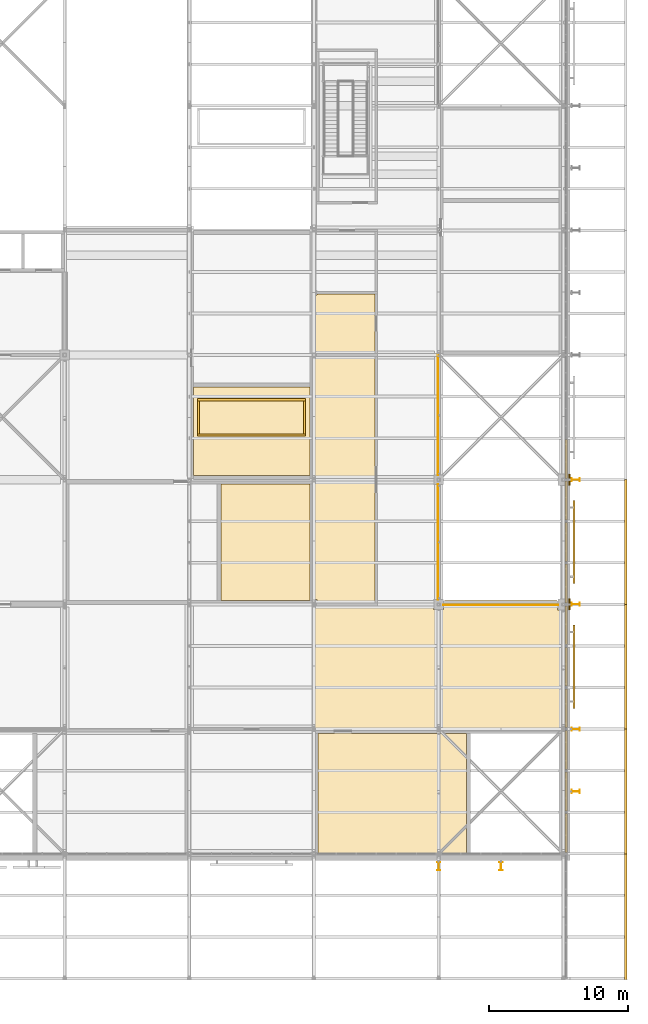
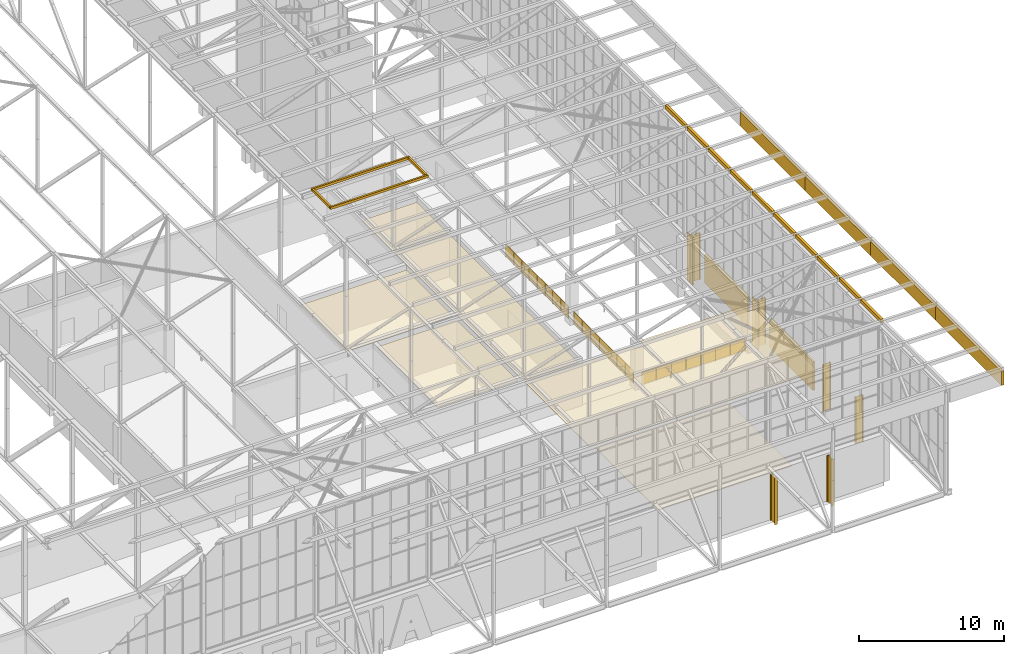
# One storey, part 637 of 646: 26 coverings, 8 shading devices, 3 railings.
"""IFC4 building model written with IfcOpenShell, lengths in metres."""

from ifc_helpers import new_model, si_unit, direction, frame, origin, origin_2d, place, context, subcontext, project, spatial, polyline, rectangle, circle, i_section, outline, extrude, material, layer, layer_set, material_profile, profile_set, type_object, element, save


model = new_model("IFC4")

# Units and contexts
model_context = context("Model", 3, precision=1e-05, world=origin(), true_north=direction((0.0, 1.0)))
body_context = subcontext(model_context, "Body", "Model", "MODEL_VIEW")
ifc_project = project(units=[si_unit("LENGTHUNIT", "METRE"), si_unit("AREAUNIT", "SQUARE_METRE"), si_unit("VOLUMEUNIT", "CUBIC_METRE"), si_unit("PLANEANGLEUNIT", "RADIAN"), si_unit("MASSUNIT", "GRAM", prefix="KILO")], contexts=[model_context])

# Site, building, storey
site_placement = place(None, origin())
site = spatial("IfcSite", under=ifc_project, at=site_placement, CompositionType="ELEMENT")
building_placement = place(site_placement, origin())
building = spatial("IfcBuilding", under=site, at=building_placement, Name="Silverbay Arena", CompositionType="ELEMENT")
storey_placement = place(building_placement, frame((0.0, 0.0, 33.5)))
storey = spatial("IfcBuildingStorey", under=building, at=storey_placement, Name="L05", CompositionType="ELEMENT", Elevation=33.5)

# Coverings
ifc_material_1 = material(Name="Aluminium composite cladding", Category="aluminium")
ifc_layer_1 = layer(ifc_material_1, 0.10009765625)
ifc_layer_set_1 = layer_set([ifc_layer_1], Name="Aluminium composite cladding")
covering_type_1 = type_object("IfcCoveringType", Name="Column cladding 100", PredefinedType="CLADDING", material=ifc_layer_set_1)
covering_1_placement = place(storey_placement, origin())
element("IfcCovering", 1, at=covering_1_placement, inside=storey, type_object=covering_type_1, Name="East column cladding L05 6", PredefinedType="CLADDING", context=body_context, shape_type="SweptSolid", body=[
    extrude(outline(polyline([(207.39990234375, 35.60009765625), (207.5, 35.60009765625), (207.5, 36.39990234375), (207.39990234375, 36.39990234375), (207.39990234375, 35.60009765625)])), origin(), (0.0, 0.0, 1.0), 4.0),
])
covering_2_placement = place(storey_placement, origin())
element("IfcCovering", 2, at=covering_2_placement, inside=storey, type_object=covering_type_1, Name="East column cladding L05 8", PredefinedType="CLADDING", context=body_context, shape_type="SweptSolid", body=[
    extrude(outline(polyline([(207.39990234375, 44.60009765625), (207.5, 44.60009765625), (207.5, 45.39990234375), (207.39990234375, 45.39990234375), (207.39990234375, 44.60009765625)])), origin(), (0.0, 0.0, 1.0), 4.0),
])
ifc_material_2 = material(Name="Fire-resisting board ceiling")
ifc_layer_2 = layer(ifc_material_2, 0.050048828125)
ifc_layer_set_2 = layer_set([ifc_layer_2], Name="Fire-resisting board ceiling")
covering_type_2 = type_object("IfcCoveringType", Name="Fire-resisting ceiling EI 120", PredefinedType="CEILING", material=ifc_layer_set_2)
covering_3_placement = place(storey_placement, frame((0.0, 0.0, 3.5)))
element("IfcCovering", 3, at=covering_3_placement, inside=storey, type_object=covering_type_2, Name="Fire-resisting ceiling 14", PredefinedType="CEILING", context=body_context, shape_type="SweptSolid", body=[
    extrude(outline(polyline([(207.02001953125, 27.06005859375), (207.199951171875, 27.06005859375), (207.199951171875, 35.5400390625), (207.02001953125, 35.5400390625), (207.02001953125, 35.590087890625), (206.590087890625, 35.590087890625), (206.590087890625, 36.02001953125), (206.5400390625, 36.02001953125), (206.5400390625, 36.27001953125), (198.409912109375, 36.27001953125), (198.409912109375, 36.02001953125), (198.360107421875, 36.02001953125), (198.360107421875, 35.639892578125), (197.639892578125, 35.639892578125), (197.639892578125, 35.97998046875), (193.60009765625, 35.97998046875), (193.60009765625, 35.89990234375), (189.199951171875, 35.89990234375), (189.199951171875, 36.0), (189.080078125, 36.0), (189.080078125, 35.840087890625), (188.97998046875, 35.840087890625), (188.97998046875, 35.77001953125), (189.02001953125, 35.77001953125), (189.02001953125, 27.074951171875), (189.0, 27.074951171875), (189.0, 27.030029296875), (207.02001953125, 27.030029296875), (207.02001953125, 27.06005859375)])), origin(), (0.0, 0.0, 1.0), 0.050048828125),
])
covering_4_placement = place(storey_placement, frame((0.0, 0.0, 3.5)))
element("IfcCovering", 4, at=covering_4_placement, inside=storey, type_object=covering_type_2, Name="Fire-resisting ceiling 29", PredefinedType="CEILING", context=body_context, shape_type="SweptSolid", body=[
    extrude(outline(polyline([(189.22998046875, 53.840087890625), (189.0, 53.840087890625), (189.0, 36.35205078125), (189.22998046875, 36.35205078125), (189.22998046875, 36.10009765625), (193.39990234375, 36.10009765625), (193.39990234375, 53.89990234375), (189.22998046875, 53.89990234375), (189.22998046875, 53.840087890625)])), origin(), (0.0, 0.0, 1.0), 0.050048828125),
])
covering_5_placement = place(storey_placement, frame((0.0, 0.0, 3.5)))
element("IfcCovering", 5, at=covering_5_placement, inside=storey, type_object=covering_type_2, Name="Fire-resisting ceiling 30", PredefinedType="CEILING", context=body_context, shape_type="SweptSolid", body=[
    extrude(outline(polyline([(189.0, 58.340087890625), (189.0, 54.159912109375), (189.22998046875, 54.159912109375), (189.22998046875, 54.10009765625), (193.39990234375, 54.10009765625), (193.39990234375, 58.39990234375), (189.22998046875, 58.39990234375), (189.22998046875, 58.340087890625), (189.0, 58.340087890625)])), origin(), (0.0, 0.0, 1.0), 0.050048828125),
])
covering_6_placement = place(storey_placement, frame((0.0, 0.0, 3.5)))
element("IfcCovering", 6, at=covering_6_placement, inside=storey, type_object=covering_type_2, Name="Fire-resisting ceiling 56", PredefinedType="CEILING", context=body_context, shape_type="SweptSolid", body=[
    extrude(outline(polyline([(189.0, 26.699951171875), (189.300048828125, 26.699951171875), (189.300048828125, 18.0), (200.0, 18.0), (200.0, 26.699951171875), (200.300048828125, 26.699951171875), (200.300048828125, 18.0), (206.699951171875, 18.0), (206.699951171875, 26.699951171875), (207.0, 26.699951171875), (189.0, 26.699951171875)])), origin(), (0.0, 0.0, 1.0), 0.050048828125),
])
covering_7_placement = place(storey_placement, frame((0.0, 0.0, 3.5)))
element("IfcCovering", 7, at=covering_7_placement, inside=storey, type_object=covering_type_2, Name="Fire-resisting ceiling 74", PredefinedType="CEILING", context=body_context, shape_type="SweptSolid", body=[
    extrude(outline(polyline([(188.699951171875, 36.300048828125), (188.699951171875, 44.699951171875), (182.300048828125, 44.699951171875), (182.300048828125, 36.300048828125), (188.699951171875, 36.300048828125)])), origin(), (0.0, 0.0, 1.0), 0.050048828125),
])
covering_8_placement = place(storey_placement, frame((0.0, 0.0, 3.5)))
element("IfcCovering", 8, at=covering_8_placement, inside=storey, type_object=covering_type_2, Name="Fire-resisting ceiling 76", PredefinedType="CEILING", context=body_context, shape_type="SweptSolid", body=[
    extrude(outline(polyline([(188.699951171875, 45.300048828125), (188.699951171875, 51.699951171875), (180.300048828125, 51.699951171875), (180.300048828125, 45.300048828125), (188.699951171875, 45.300048828125)])), origin(), (0.0, 0.0, 1.0), 0.050048828125),
])
ifc_material_3 = material(Name="Insulated metal cladding panel")
ifc_layer_3 = layer(ifc_material_3, 0.199951171875)
ifc_layer_set_3 = layer_set([ifc_layer_3], Name="Insulated metal cladding panel")
covering_type_3 = type_object("IfcCoveringType", Name="Gable head closer 200", PredefinedType="CLADDING", material=ifc_layer_set_3)
covering_9_placement = place(storey_placement, frame((0.0, 0.0, 13.0)))
element("IfcCovering", 9, at=covering_9_placement, inside=storey, type_object=covering_type_3, Name="ROOF GABLE HEAD CLOSER east 04", PredefinedType="CLADDING", context=body_context, shape_type="SweptSolid", body=[
    extrude(outline(polyline([(207.110107421875, 18.10009765625), (207.31005859375, 18.10009765625), (207.31005859375, 20.89990234375), (207.110107421875, 20.89990234375), (207.110107421875, 18.10009765625)])), origin(), (0.0, 0.0, 1.0), 0.300048828125),
])
covering_10_placement = place(storey_placement, frame((0.0, 0.0, 13.0)))
element("IfcCovering", 10, at=covering_10_placement, inside=storey, type_object=covering_type_3, Name="ROOF GABLE HEAD CLOSER east 05", PredefinedType="CLADDING", context=body_context, shape_type="SweptSolid", body=[
    extrude(outline(polyline([(207.110107421875, 21.10009765625), (207.31005859375, 21.10009765625), (207.31005859375, 23.89990234375), (207.110107421875, 23.89990234375), (207.110107421875, 21.10009765625)])), origin(), (0.0, 0.0, 1.0), 0.300048828125),
])
covering_11_placement = place(storey_placement, frame((0.0, 0.0, 13.0)))
element("IfcCovering", 11, at=covering_11_placement, inside=storey, type_object=covering_type_3, Name="ROOF GABLE HEAD CLOSER east 06", PredefinedType="CLADDING", context=body_context, shape_type="SweptSolid", body=[
    extrude(outline(polyline([(207.110107421875, 24.10009765625), (207.31005859375, 24.10009765625), (207.31005859375, 26.89990234375), (207.110107421875, 26.89990234375), (207.110107421875, 24.10009765625)])), origin(), (0.0, 0.0, 1.0), 0.300048828125),
])
covering_12_placement = place(storey_placement, frame((0.0, 0.0, 13.0)))
element("IfcCovering", 12, at=covering_12_placement, inside=storey, type_object=covering_type_3, Name="ROOF GABLE HEAD CLOSER east 07", PredefinedType="CLADDING", context=body_context, shape_type="SweptSolid", body=[
    extrude(outline(polyline([(207.110107421875, 27.10009765625), (207.31005859375, 27.10009765625), (207.31005859375, 29.89990234375), (207.110107421875, 29.89990234375), (207.110107421875, 27.10009765625)])), origin(), (0.0, 0.0, 1.0), 0.300048828125),
])
covering_13_placement = place(storey_placement, frame((0.0, 0.0, 13.0)))
element("IfcCovering", 13, at=covering_13_placement, inside=storey, type_object=covering_type_3, Name="ROOF GABLE HEAD CLOSER east 08", PredefinedType="CLADDING", context=body_context, shape_type="SweptSolid", body=[
    extrude(outline(polyline([(207.110107421875, 30.10009765625), (207.31005859375, 30.10009765625), (207.31005859375, 32.89990234375), (207.110107421875, 32.89990234375), (207.110107421875, 30.10009765625)])), origin(), (0.0, 0.0, 1.0), 0.300048828125),
])
covering_14_placement = place(storey_placement, frame((0.0, 0.0, 13.0)))
element("IfcCovering", 14, at=covering_14_placement, inside=storey, type_object=covering_type_3, Name="ROOF GABLE HEAD CLOSER east 09", PredefinedType="CLADDING", context=body_context, shape_type="SweptSolid", body=[
    extrude(outline(polyline([(207.110107421875, 33.10009765625), (207.31005859375, 33.10009765625), (207.31005859375, 35.89990234375), (207.110107421875, 35.89990234375), (207.110107421875, 33.10009765625)])), origin(), (0.0, 0.0, 1.0), 0.300048828125),
])
covering_15_placement = place(storey_placement, frame((0.0, 0.0, 13.0)))
element("IfcCovering", 15, at=covering_15_placement, inside=storey, type_object=covering_type_3, Name="ROOF GABLE HEAD CLOSER east 10", PredefinedType="CLADDING", context=body_context, shape_type="SweptSolid", body=[
    extrude(outline(polyline([(207.110107421875, 36.10009765625), (207.31005859375, 36.10009765625), (207.31005859375, 38.89990234375), (207.110107421875, 38.89990234375), (207.110107421875, 36.10009765625)])), origin(), (0.0, 0.0, 1.0), 0.300048828125),
])
covering_16_placement = place(storey_placement, frame((0.0, 0.0, 13.0)))
element("IfcCovering", 16, at=covering_16_placement, inside=storey, type_object=covering_type_3, Name="ROOF GABLE HEAD CLOSER east 11", PredefinedType="CLADDING", context=body_context, shape_type="SweptSolid", body=[
    extrude(outline(polyline([(207.110107421875, 39.10009765625), (207.31005859375, 39.10009765625), (207.31005859375, 41.89990234375), (207.110107421875, 41.89990234375), (207.110107421875, 39.10009765625)])), origin(), (0.0, 0.0, 1.0), 0.300048828125),
])
covering_17_placement = place(storey_placement, frame((0.0, 0.0, 13.0)))
element("IfcCovering", 17, at=covering_17_placement, inside=storey, type_object=covering_type_3, Name="ROOF GABLE HEAD CLOSER east 12", PredefinedType="CLADDING", context=body_context, shape_type="SweptSolid", body=[
    extrude(outline(polyline([(207.110107421875, 42.10009765625), (207.31005859375, 42.10009765625), (207.31005859375, 44.89990234375), (207.110107421875, 44.89990234375), (207.110107421875, 42.10009765625)])), origin(), (0.0, 0.0, 1.0), 0.300048828125),
])
covering_18_placement = place(storey_placement, frame((0.0, 0.0, 13.0)))
element("IfcCovering", 18, at=covering_18_placement, inside=storey, type_object=covering_type_3, Name="ROOF GABLE HEAD CLOSER east 13", PredefinedType="CLADDING", context=body_context, shape_type="SweptSolid", body=[
    extrude(outline(polyline([(207.110107421875, 45.10009765625), (207.31005859375, 45.10009765625), (207.31005859375, 47.89990234375), (207.110107421875, 47.89990234375), (207.110107421875, 45.10009765625)])), origin(), (0.0, 0.0, 1.0), 0.300048828125),
])

# Shading devices
ifc_material_4 = material(Name="Aluminium", Category="aluminium")
shading_device_type_1 = type_object("IfcShadingDeviceType", Name="Louvre screen 6000 x 2400", PredefinedType="JALOUSIE", material=ifc_material_4)
for number, where, z_axis, x_axis, name in (
    (19, (207.77490234375, 31.5, 0.800048828125), (0.0, 0.0, 1.0), (0.0, 1.0, 0.0), "East plant louvre L05 bay 2"),
    (20, (207.77490234375, 40.5, 0.800048828125), (0.0, 0.0, 1.0), (0.0, 1.0, 0.0), "East plant louvre L05 bay 3"),
):
    element("IfcShadingDevice", number, at=place(storey_placement, frame(where, z_axis=z_axis, x_axis=x_axis)), inside=storey, type_object=shading_device_type_1, Name=name, PredefinedType="JALOUSIE", context=body_context, shape_type="SweptSolid", body=[
        extrude(rectangle(XDim=6.0, YDim=0.14990234375, at=origin_2d()), origin(), (0.0, 0.0, 1.0), 2.39990234375),
    ])

# Railings
ifc_material_5 = material(Name="Stainless steel", Category="steel")
railing_type = type_object("IfcRailingType", Name="Opening guard 1100", PredefinedType="GUARDRAIL", material=ifc_material_5)
railing_1_placement = place(storey_placement, frame((197.9599609375, 36.35009765625, 0.0)))
element("IfcRailing", 21, at=railing_1_placement, inside=storey, type_object=railing_type, Name="Opening guard L05 end gallery E-inner edge", PredefinedType="GUARDRAIL", context=body_context, shape_type="SweptSolid", body=[
    extrude(circle(Radius=0.02392578125, at=origin_2d()), frame((0.0, 0.0, 1.076171875), z_axis=(0.0, 1.0, 0.0), x_axis=(-1.0, 0.0, 0.0)), (0.0, 0.0, 1.0), 8.2998046875),
    extrude(outline(polyline([(-0.008056640625, 0.050048828125), (1.193603515625, 0.050048828125), (1.193603515625, 1.052978515625), (-0.008056640625, 1.052978515625), (-0.008056640625, 0.050048828125)])), frame((-0.0029296875, 0.0, 0.0), z_axis=(1.0, 0.0, 0.0), x_axis=(0.0, 1.0, 0.0)), (0.0, 0.0, 1.0), 0.006103515625),
    extrude(outline(polyline([(-0.008056640625, 0.050048828125), (1.193603515625, 0.050048828125), (1.193603515625, 1.052978515625), (-0.008056640625, 1.052978515625), (-0.008056640625, 0.050048828125)])), frame((-0.0029296875, 1.185791015625, 0.0), z_axis=(1.0, 0.0, 0.0), x_axis=(0.0, 1.0, 0.0)), (0.0, 0.0, 1.0), 0.006103515625),
    extrude(outline(polyline([(-0.008056640625, 0.050048828125), (1.193603515625, 0.050048828125), (1.193603515625, 1.052978515625), (-0.008056640625, 1.052978515625), (-0.008056640625, 0.050048828125)])), frame((-0.0029296875, 2.371337890625, 0.0), z_axis=(1.0, 0.0, 0.0), x_axis=(0.0, 1.0, 0.0)), (0.0, 0.0, 1.0), 0.006103515625),
    extrude(outline(polyline([(-0.008056640625, 0.050048828125), (1.193603515625, 0.050048828125), (1.193603515625, 1.052978515625), (-0.008056640625, 1.052978515625), (-0.008056640625, 0.050048828125)])), frame((-0.0029296875, 3.55712890625, 0.0), z_axis=(1.0, 0.0, 0.0), x_axis=(0.0, 1.0, 0.0)), (0.0, 0.0, 1.0), 0.006103515625),
    extrude(outline(polyline([(-0.008056640625, 0.050048828125), (1.193603515625, 0.050048828125), (1.193603515625, 1.052978515625), (-0.008056640625, 1.052978515625), (-0.008056640625, 0.050048828125)])), frame((-0.0029296875, 4.74267578125, 0.0), z_axis=(1.0, 0.0, 0.0), x_axis=(0.0, 1.0, 0.0)), (0.0, 0.0, 1.0), 0.006103515625),
    extrude(outline(polyline([(-0.008056640625, 0.050048828125), (1.193603515625, 0.050048828125), (1.193603515625, 1.052978515625), (-0.008056640625, 1.052978515625), (-0.008056640625, 0.050048828125)])), frame((-0.0029296875, 5.928466796875, 0.0), z_axis=(1.0, 0.0, 0.0), x_axis=(0.0, 1.0, 0.0)), (0.0, 0.0, 1.0), 0.006103515625),
    extrude(outline(polyline([(-0.008056640625, 0.050048828125), (1.193603515625, 0.050048828125), (1.193603515625, 1.052978515625), (-0.008056640625, 1.052978515625), (-0.008056640625, 0.050048828125)])), frame((-0.0029296875, 7.114013671875, 0.0), z_axis=(1.0, 0.0, 0.0), x_axis=(0.0, 1.0, 0.0)), (0.0, 0.0, 1.0), 0.006103515625),
    extrude(circle(Radius=0.02099609375, at=origin_2d()), origin(), (0.0, 0.0, 1.0), 1.052001953125),
    extrude(circle(Radius=0.02099609375, at=origin_2d()), frame((0.0, 1.185791015625, 0.0)), (0.0, 0.0, 1.0), 1.052001953125),
    extrude(circle(Radius=0.02099609375, at=origin_2d()), frame((0.0, 2.371337890625, 0.0)), (0.0, 0.0, 1.0), 1.052001953125),
    extrude(circle(Radius=0.02099609375, at=origin_2d()), frame((0.0, 3.55712890625, 0.0)), (0.0, 0.0, 1.0), 1.052001953125),
    extrude(circle(Radius=0.02099609375, at=origin_2d()), frame((0.0, 4.74267578125, 0.0)), (0.0, 0.0, 1.0), 1.052001953125),
    extrude(circle(Radius=0.02099609375, at=origin_2d()), frame((0.0, 5.928466796875, 0.0)), (0.0, 0.0, 1.0), 1.052001953125),
    extrude(circle(Radius=0.02099609375, at=origin_2d()), frame((0.0, 7.114013671875, 0.0)), (0.0, 0.0, 1.0), 1.052001953125),
    extrude(circle(Radius=0.02099609375, at=origin_2d()), frame((0.0, 8.2998046875, 0.0)), (0.0, 0.0, 1.0), 1.052001953125),
])
railing_2_placement = place(storey_placement, frame((197.9599609375, 45.35009765625, 0.0)))
element("IfcRailing", 22, at=railing_2_placement, inside=storey, type_object=railing_type, Name="Opening guard L05 end gallery E-inner edge", PredefinedType="GUARDRAIL", context=body_context, shape_type="SweptSolid", body=[
    extrude(circle(Radius=0.02392578125, at=origin_2d()), frame((0.0, 0.0, 1.076171875), z_axis=(0.0, 1.0, 0.0), x_axis=(-1.0, 0.0, 0.0)), (0.0, 0.0, 1.0), 8.64990234375),
    extrude(outline(polyline([(-0.008056640625, 0.050048828125), (1.08935546875, 0.050048828125), (1.08935546875, 1.052978515625), (-0.008056640625, 1.052978515625), (-0.008056640625, 0.050048828125)])), frame((-0.0029296875, 0.0, 0.0), z_axis=(1.0, 0.0, 0.0), x_axis=(0.0, 1.0, 0.0)), (0.0, 0.0, 1.0), 0.006103515625),
    extrude(outline(polyline([(-0.008056640625, 0.050048828125), (1.08935546875, 0.050048828125), (1.08935546875, 1.052978515625), (-0.008056640625, 1.052978515625), (-0.008056640625, 0.050048828125)])), frame((-0.0029296875, 1.081298828125, 0.0), z_axis=(1.0, 0.0, 0.0), x_axis=(0.0, 1.0, 0.0)), (0.0, 0.0, 1.0), 0.006103515625),
    extrude(outline(polyline([(-0.008056640625, 0.050048828125), (1.08935546875, 0.050048828125), (1.08935546875, 1.052978515625), (-0.008056640625, 1.052978515625), (-0.008056640625, 0.050048828125)])), frame((-0.0029296875, 2.16259765625, 0.0), z_axis=(1.0, 0.0, 0.0), x_axis=(0.0, 1.0, 0.0)), (0.0, 0.0, 1.0), 0.006103515625),
    extrude(outline(polyline([(-0.008056640625, 0.050048828125), (1.08935546875, 0.050048828125), (1.08935546875, 1.052978515625), (-0.008056640625, 1.052978515625), (-0.008056640625, 0.050048828125)])), frame((-0.0029296875, 3.24365234375, 0.0), z_axis=(1.0, 0.0, 0.0), x_axis=(0.0, 1.0, 0.0)), (0.0, 0.0, 1.0), 0.006103515625),
    extrude(outline(polyline([(-0.008056640625, 0.050048828125), (1.08935546875, 0.050048828125), (1.08935546875, 1.052978515625), (-0.008056640625, 1.052978515625), (-0.008056640625, 0.050048828125)])), frame((-0.0029296875, 4.324951171875, 0.0), z_axis=(1.0, 0.0, 0.0), x_axis=(0.0, 1.0, 0.0)), (0.0, 0.0, 1.0), 0.006103515625),
    extrude(outline(polyline([(-0.008056640625, 0.050048828125), (1.08935546875, 0.050048828125), (1.08935546875, 1.052978515625), (-0.008056640625, 1.052978515625), (-0.008056640625, 0.050048828125)])), frame((-0.0029296875, 5.40625, 0.0), z_axis=(1.0, 0.0, 0.0), x_axis=(0.0, 1.0, 0.0)), (0.0, 0.0, 1.0), 0.006103515625),
    extrude(outline(polyline([(-0.008056640625, 0.050048828125), (1.08935546875, 0.050048828125), (1.08935546875, 1.052978515625), (-0.008056640625, 1.052978515625), (-0.008056640625, 0.050048828125)])), frame((-0.0029296875, 6.4873046875, 0.0), z_axis=(1.0, 0.0, 0.0), x_axis=(0.0, 1.0, 0.0)), (0.0, 0.0, 1.0), 0.006103515625),
    extrude(outline(polyline([(-0.008056640625, 0.050048828125), (1.08935546875, 0.050048828125), (1.08935546875, 1.052978515625), (-0.008056640625, 1.052978515625), (-0.008056640625, 0.050048828125)])), frame((-0.0029296875, 7.568603515625, 0.0), z_axis=(1.0, 0.0, 0.0), x_axis=(0.0, 1.0, 0.0)), (0.0, 0.0, 1.0), 0.006103515625),
    extrude(circle(Radius=0.02099609375, at=origin_2d()), origin(), (0.0, 0.0, 1.0), 1.052001953125),
    extrude(circle(Radius=0.02099609375, at=origin_2d()), frame((0.0, 1.081298828125, 0.0)), (0.0, 0.0, 1.0), 1.052001953125),
    extrude(circle(Radius=0.02099609375, at=origin_2d()), frame((0.0, 2.16259765625, 0.0)), (0.0, 0.0, 1.0), 1.052001953125),
    extrude(circle(Radius=0.02099609375, at=origin_2d()), frame((0.0, 3.24365234375, 0.0)), (0.0, 0.0, 1.0), 1.052001953125),
    extrude(circle(Radius=0.02099609375, at=origin_2d()), frame((0.0, 4.324951171875, 0.0)), (0.0, 0.0, 1.0), 1.052001953125),
    extrude(circle(Radius=0.02099609375, at=origin_2d()), frame((0.0, 5.40625, 0.0)), (0.0, 0.0, 1.0), 1.052001953125),
    extrude(circle(Radius=0.02099609375, at=origin_2d()), frame((0.0, 6.4873046875, 0.0)), (0.0, 0.0, 1.0), 1.052001953125),
    extrude(circle(Radius=0.02099609375, at=origin_2d()), frame((0.0, 7.568603515625, 0.0)), (0.0, 0.0, 1.0), 1.052001953125),
    extrude(circle(Radius=0.02099609375, at=origin_2d()), frame((0.0, 8.64990234375, 0.0)), (0.0, 0.0, 1.0), 1.052001953125),
])
railing_3_placement = place(storey_placement, frame((198.35009765625, 35.9599609375, 0.0)))
element("IfcRailing", 23, at=railing_3_placement, inside=storey, type_object=railing_type, Name="Opening guard L05 end gallery E-south edge", PredefinedType="GUARDRAIL", context=body_context, shape_type="SweptSolid", body=[
    extrude(circle(Radius=0.02392578125, at=origin_2d()), frame((0.0, 0.0, 1.076171875), z_axis=(1.0, 0.0, 0.0), x_axis=(0.0, 1.0, 0.0)), (0.0, 0.0, 1.0), 8.25),
    extrude(outline(polyline([(-0.008056640625, 0.050048828125), (1.1865234375, 0.050048828125), (1.1865234375, 1.052978515625), (-0.008056640625, 1.052978515625), (-0.008056640625, 0.050048828125)])), frame((0.0, 0.0029296875, 0.0), z_axis=(0.0, -1.0, 0.0), x_axis=(1.0, 0.0, 0.0)), (0.0, 0.0, 1.0), 0.006103515625),
    extrude(outline(polyline([(-0.008056640625, 0.050048828125), (1.1865234375, 0.050048828125), (1.1865234375, 1.052978515625), (-0.008056640625, 1.052978515625), (-0.008056640625, 0.050048828125)])), frame((1.178466796875, 0.0029296875, 0.0), z_axis=(0.0, -1.0, 0.0), x_axis=(1.0, 0.0, 0.0)), (0.0, 0.0, 1.0), 0.006103515625),
    extrude(outline(polyline([(-0.008056640625, 0.050048828125), (1.1865234375, 0.050048828125), (1.1865234375, 1.052978515625), (-0.008056640625, 1.052978515625), (-0.008056640625, 0.050048828125)])), frame((2.357177734375, 0.0029296875, 0.0), z_axis=(0.0, -1.0, 0.0), x_axis=(1.0, 0.0, 0.0)), (0.0, 0.0, 1.0), 0.006103515625),
    extrude(outline(polyline([(-0.008056640625, 0.050048828125), (1.1865234375, 0.050048828125), (1.1865234375, 1.052978515625), (-0.008056640625, 1.052978515625), (-0.008056640625, 0.050048828125)])), frame((3.53564453125, 0.0029296875, 0.0), z_axis=(0.0, -1.0, 0.0), x_axis=(1.0, 0.0, 0.0)), (0.0, 0.0, 1.0), 0.006103515625),
    extrude(outline(polyline([(-0.008056640625, 0.050048828125), (1.1865234375, 0.050048828125), (1.1865234375, 1.052978515625), (-0.008056640625, 1.052978515625), (-0.008056640625, 0.050048828125)])), frame((4.71435546875, 0.0029296875, 0.0), z_axis=(0.0, -1.0, 0.0), x_axis=(1.0, 0.0, 0.0)), (0.0, 0.0, 1.0), 0.006103515625),
    extrude(outline(polyline([(-0.008056640625, 0.050048828125), (1.1865234375, 0.050048828125), (1.1865234375, 1.052978515625), (-0.008056640625, 1.052978515625), (-0.008056640625, 0.050048828125)])), frame((5.892822265625, 0.0029296875, 0.0), z_axis=(0.0, -1.0, 0.0), x_axis=(1.0, 0.0, 0.0)), (0.0, 0.0, 1.0), 0.006103515625),
    extrude(outline(polyline([(-0.008056640625, 0.050048828125), (1.1865234375, 0.050048828125), (1.1865234375, 1.052978515625), (-0.008056640625, 1.052978515625), (-0.008056640625, 0.050048828125)])), frame((7.071533203125, 0.0029296875, 0.0), z_axis=(0.0, -1.0, 0.0), x_axis=(1.0, 0.0, 0.0)), (0.0, 0.0, 1.0), 0.006103515625),
    extrude(circle(Radius=0.02099609375, at=origin_2d()), origin(), (0.0, 0.0, 1.0), 1.052001953125),
    extrude(circle(Radius=0.02099609375, at=origin_2d()), frame((1.178466796875, 0.0, 0.0)), (0.0, 0.0, 1.0), 1.052001953125),
    extrude(circle(Radius=0.02099609375, at=origin_2d()), frame((2.357177734375, 0.0, 0.0)), (0.0, 0.0, 1.0), 1.052001953125),
    extrude(circle(Radius=0.02099609375, at=origin_2d()), frame((3.53564453125, 0.0, 0.0)), (0.0, 0.0, 1.0), 1.052001953125),
    extrude(circle(Radius=0.02099609375, at=origin_2d()), frame((4.71435546875, 0.0, 0.0)), (0.0, 0.0, 1.0), 1.052001953125),
    extrude(circle(Radius=0.02099609375, at=origin_2d()), frame((5.892822265625, 0.0, 0.0)), (0.0, 0.0, 1.0), 1.052001953125),
    extrude(circle(Radius=0.02099609375, at=origin_2d()), frame((7.071533203125, 0.0, 0.0)), (0.0, 0.0, 1.0), 1.052001953125),
    extrude(circle(Radius=0.02099609375, at=origin_2d()), frame((8.25, 0.0, 0.0)), (0.0, 0.0, 1.0), 1.052001953125),
])

# Coverings
ifc_material_6 = material(Name="Insulated metal cladding panel")
ifc_layer_4 = layer(ifc_material_6, 0.199951171875)
ifc_layer_set_4 = layer_set([ifc_layer_4], Name="Insulated metal cladding panel")
covering_type_4 = type_object("IfcCoveringType", Name="Roof edge fascia 200", PredefinedType="CLADDING", material=ifc_layer_set_4)
covering_19_placement = place(storey_placement, frame((0.0, 0.0, 11.800048828125)))
element("IfcCovering", 24, at=covering_19_placement, inside=storey, type_object=covering_type_4, Name="ROOF EDGE FASCIA east bay 01", PredefinedType="CLADDING", context=body_context, shape_type="SweptSolid", body=[
    extrude(outline(polyline([(211.39990234375, 8.89990234375), (211.60009765625, 8.89990234375), (211.60009765625, 18.0), (211.39990234375, 18.0), (211.39990234375, 8.89990234375)])), origin(), (0.0, 0.0, 1.0), 1.199951171875),
])
covering_20_placement = place(storey_placement, frame((0.0, 0.0, 11.800048828125)))
element("IfcCovering", 25, at=covering_20_placement, inside=storey, type_object=covering_type_4, Name="ROOF EDGE FASCIA east bay 02", PredefinedType="CLADDING", context=body_context, shape_type="SweptSolid", body=[
    extrude(outline(polyline([(211.39990234375, 18.0), (211.60009765625, 18.0), (211.60009765625, 27.0), (211.39990234375, 27.0), (211.39990234375, 18.0)])), origin(), (0.0, 0.0, 1.0), 1.199951171875),
])
covering_21_placement = place(storey_placement, frame((0.0, 0.0, 11.800048828125)))
element("IfcCovering", 26, at=covering_21_placement, inside=storey, type_object=covering_type_4, Name="ROOF EDGE FASCIA east bay 03", PredefinedType="CLADDING", context=body_context, shape_type="SweptSolid", body=[
    extrude(outline(polyline([(211.39990234375, 27.0), (211.60009765625, 27.0), (211.60009765625, 36.0), (211.39990234375, 36.0), (211.39990234375, 27.0)])), origin(), (0.0, 0.0, 1.0), 1.199951171875),
])
covering_22_placement = place(storey_placement, frame((0.0, 0.0, 11.800048828125)))
element("IfcCovering", 27, at=covering_22_placement, inside=storey, type_object=covering_type_4, Name="ROOF EDGE FASCIA east bay 04", PredefinedType="CLADDING", context=body_context, shape_type="SweptSolid", body=[
    extrude(outline(polyline([(211.39990234375, 36.0), (211.60009765625, 36.0), (211.60009765625, 45.0), (211.39990234375, 45.0), (211.39990234375, 36.0)])), origin(), (0.0, 0.0, 1.0), 1.199951171875),
])
ifc_material_7 = material(Name="Insulated metal curb")
ifc_layer_5 = layer(ifc_material_7, 0.14990234375)
ifc_layer_set_5 = layer_set([ifc_layer_5], Name="Insulated metal curb")
covering_type_5 = type_object("IfcCoveringType", Name="Roof light curb 150", PredefinedType="CLADDING", material=ifc_layer_set_5)
covering_23_placement = place(storey_placement, frame((0.0, 0.0, 13.60009765625)))
element("IfcCovering", 28, at=covering_23_placement, inside=storey, type_object=covering_type_5, Name="ROOF LIGHT CURB 02 S", PredefinedType="CLADDING", context=body_context, shape_type="SweptSolid", body=[
    extrude(outline(polyline([(180.60009765625, 48.14990234375), (188.39990234375, 48.14990234375), (188.39990234375, 48.300048828125), (180.60009765625, 48.300048828125), (180.60009765625, 48.14990234375)])), origin(), (0.0, 0.0, 1.0), 0.199951171875),
])
covering_24_placement = place(storey_placement, frame((0.0, 0.0, 13.60009765625)))
element("IfcCovering", 29, at=covering_24_placement, inside=storey, type_object=covering_type_5, Name="ROOF LIGHT CURB 02 N", PredefinedType="CLADDING", context=body_context, shape_type="SweptSolid", body=[
    extrude(outline(polyline([(180.60009765625, 50.699951171875), (188.39990234375, 50.699951171875), (188.39990234375, 50.85009765625), (180.60009765625, 50.85009765625), (180.60009765625, 50.699951171875)])), origin(), (0.0, 0.0, 1.0), 0.199951171875),
])
covering_25_placement = place(storey_placement, frame((0.0, 0.0, 13.60009765625)))
element("IfcCovering", 30, at=covering_25_placement, inside=storey, type_object=covering_type_5, Name="ROOF LIGHT CURB 02 W", PredefinedType="CLADDING", context=body_context, shape_type="SweptSolid", body=[
    extrude(outline(polyline([(180.60009765625, 48.300048828125), (180.75, 48.300048828125), (180.75, 50.699951171875), (180.60009765625, 50.699951171875), (180.60009765625, 48.300048828125)])), origin(), (0.0, 0.0, 1.0), 0.199951171875),
])
covering_26_placement = place(storey_placement, frame((0.0, 0.0, 13.60009765625)))
element("IfcCovering", 31, at=covering_26_placement, inside=storey, type_object=covering_type_5, Name="ROOF LIGHT CURB 02 E", PredefinedType="CLADDING", context=body_context, shape_type="SweptSolid", body=[
    extrude(outline(polyline([(188.25, 48.300048828125), (188.39990234375, 48.300048828125), (188.39990234375, 50.699951171875), (188.25, 50.699951171875), (188.25, 48.300048828125)])), origin(), (0.0, 0.0, 1.0), 0.199951171875),
])

# Shading devices
ifc_material_8 = material(Name="Steel S355", Category="steel")
ifc_material_profile = material_profile(ifc_material_8, i_section(OverallWidth=0.2275390625, OverallDepth=0.6025390625, WebThickness=0.010498046875, FlangeThickness=0.014892578125, at=origin_2d()), Name="UB 610x229x101")
ifc_profile_set = profile_set([ifc_material_profile], Name="Steel S355")
shading_device_type_2 = type_object("IfcShadingDeviceType", Name="Steel fin UB 610x229x101", PredefinedType="USERDEFINED", material=ifc_profile_set)
for number, where, z_axis, x_axis, name in (
    (32, (198.0, 17.0986328125, 0.0), (0.0, 0.0, 1.0), (1.0, 0.0, 0.0), "Steel fin S L05 32"),
    (33, (202.5, 17.0986328125, 0.0), (0.0, 0.0, 1.0), (1.0, 0.0, 0.0), "Steel fin S L05 33"),
    (34, (207.9013671875, 22.5, 0.0), (0.0, 0.0, 1.0), (0.0, 1.0, 0.0), "Steel fin E L05 1"),
    (35, (207.9013671875, 27.0, 0.0), (0.0, 0.0, 1.0), (0.0, 1.0, 0.0), "Steel fin E L05 2"),
    (36, (207.9013671875, 36.0, 0.0), (0.0, 0.0, 1.0), (0.0, 1.0, 0.0), "Steel fin E L05 4"),
    (37, (207.9013671875, 45.0, 0.0), (0.0, 0.0, 1.0), (0.0, 1.0, 0.0), "Steel fin E L05 6"),
):
    element("IfcShadingDevice", number, at=place(storey_placement, frame(where, z_axis=z_axis, x_axis=x_axis)), inside=storey, type_object=shading_device_type_2, Name=name, ObjectType="FIN", PredefinedType="USERDEFINED", context=body_context, shape_type="SweptSolid", body=[
        extrude(i_section(OverallWidth=0.2275390625, OverallDepth=0.6025390625, WebThickness=0.010498046875, FlangeThickness=0.014892578125, at=origin_2d()), origin(), (0.0, 0.0, 1.0), 3.93994140625),
    ])

save(model, "model.ifc")
